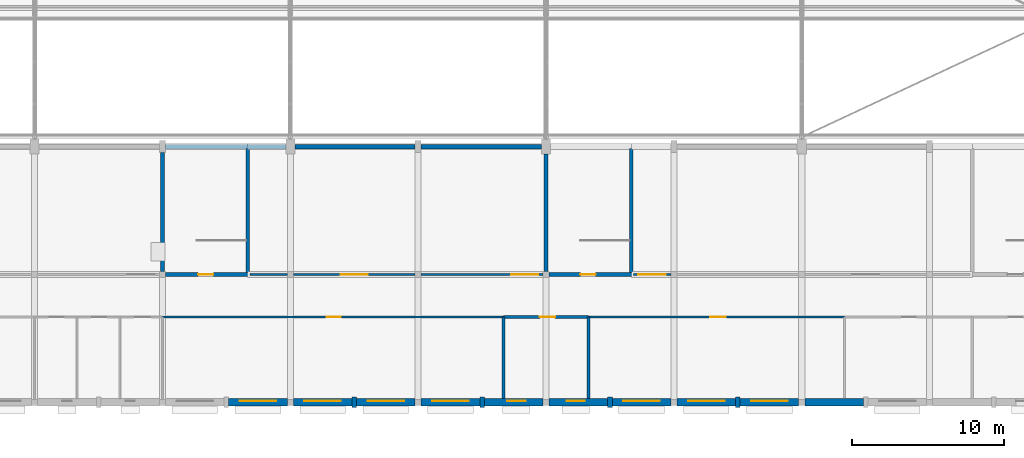
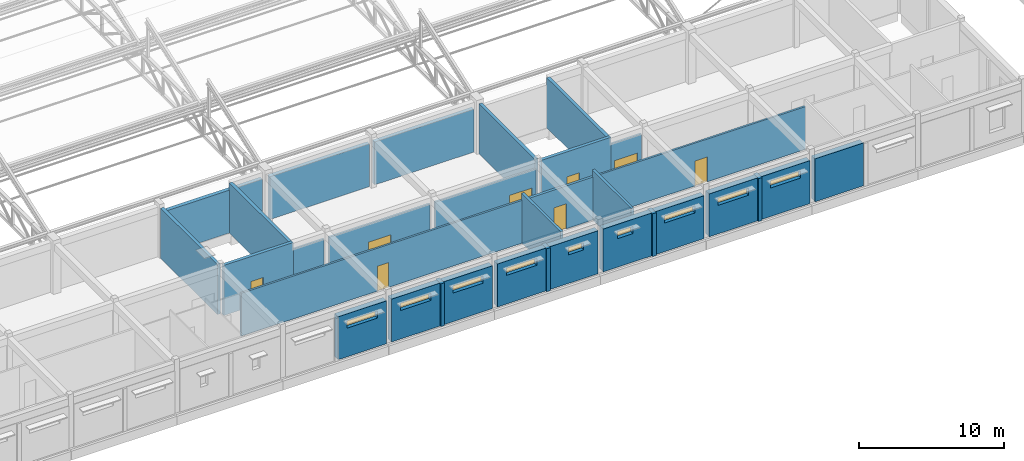
# One storey, part 74 of 101: 32 walls, 9 windows, 8 doors, 17 openings.
"""IFC4 building model written with IfcOpenShell, lengths in metres."""

import ifcopenshell
import ifcopenshell.guid

model = None  # the IFC model being written
_history = None  # IfcOwnerHistory: only IFC2X3 demands one
_inside = {}  # id of a spatial element -> (the spatial element, [elements in it])
_under = {}  # id of a project, library or spatial element -> (it, [spatial elements below it])
_declared = {}  # id of a project -> (the project, [libraries it declares])
_typed = {}  # id of a type object -> (the type object, [elements of that type])
_made_of = {}  # id of a material, layer set ... -> (it, [elements and type objects made of it])


def new_model(schema):
    """Start an empty IFC model of exactly this schema.

    Asked for "IFC4X3", IfcOpenShell would pick the latest addendum, in which some entities
    have other attributes; the version numbers below select the first issue.
    IFC2X3 requires an IfcOwnerHistory on every rooted entity: one is made here for all.
    """
    global model, _history
    if schema == "IFC4X3":
        model = ifcopenshell.file(schema_version=(4, 3, 0, 0))
    else:
        model = ifcopenshell.file(schema=schema)
    _inside.clear()
    _under.clear()
    _declared.clear()
    _typed.clear()
    _made_of.clear()
    _history = None
    if model.schema == "IFC2X3":
        org = make("IfcOrganization", Name="unknown")
        user = make(
            "IfcPersonAndOrganization",
            ThePerson=make("IfcPerson", FamilyName="unknown"),
            TheOrganization=org,
        )
        app = make(
            "IfcApplication",
            ApplicationDeveloper=org,
            Version="unknown",
            ApplicationFullName="unknown",
            ApplicationIdentifier="unknown",
        )
        _history = make(
            "IfcOwnerHistory",
            OwningUser=user,
            OwningApplication=app,
            ChangeAction="ADDED",
            CreationDate=0,
        )
    return model


def make(cls, **values):
    """One entity of the class cls with the attributes given. An attribute that is None is left unset."""
    return model.create_entity(
        cls, **{name: value for name, value in values.items() if value is not None}
    )


def rooted(cls, **values):
    """An entity with a GlobalId (a new one), such as an element, a storey or a relation."""
    return make(cls, GlobalId=ifcopenshell.guid.new(), OwnerHistory=_history, **values)


def si_unit(unit_type, name, prefix=None):
    """IfcSIUnit, for example si_unit("LENGTHUNIT", "METRE", prefix="MILLI")."""
    return make("IfcSIUnit", UnitType=unit_type, Prefix=prefix, Name=name)


def assignment(units):
    """IfcUnitAssignment: the units of a project."""
    return None if units is None else make("IfcUnitAssignment", Units=units)


def point(xyz):
    """IfcCartesianPoint."""
    return None if xyz is None else make("IfcCartesianPoint", Coordinates=xyz)


def direction(xyz):
    """IfcDirection."""
    return None if xyz is None else make("IfcDirection", DirectionRatios=xyz)


def frame(location, z_axis=None, x_axis=None):
    """IfcAxis2Placement3D, a coordinate frame: its origin and axes. An axis left out is left unset."""
    return make(
        "IfcAxis2Placement3D",
        Location=point(location),
        Axis=direction(z_axis),
        RefDirection=direction(x_axis),
    )


def frame_2d(location, x_axis=None):
    """IfcAxis2Placement2D, a coordinate frame in the plane: its origin and x axis."""
    return make(
        "IfcAxis2Placement2D", Location=point(location), RefDirection=direction(x_axis)
    )


def origin():
    """The frame at (0, 0, 0) with its axes left unset."""
    return frame((0.0, 0.0, 0.0))


def place(relative_to, where):
    """IfcLocalPlacement: puts the frame where relative to a parent placement (None: the world)."""
    return make(
        "IfcLocalPlacement", PlacementRelTo=relative_to, RelativePlacement=where
    )


def context(
    kind, dimensions, precision=None, world=None, true_north=None, identifier=None
):
    """IfcGeometricRepresentationContext, for example the 3D "Model" context."""
    return make(
        "IfcGeometricRepresentationContext",
        ContextIdentifier=identifier,
        ContextType=kind,
        CoordinateSpaceDimension=dimensions,
        Precision=precision,
        WorldCoordinateSystem=world,
        TrueNorth=true_north,
    )


def subcontext(parent, identifier, kind, view, scale=None):
    """IfcGeometricRepresentationSubContext, for example "Body" below "Model"."""
    return make(
        "IfcGeometricRepresentationSubContext",
        ContextIdentifier=identifier,
        ContextType=kind,
        ParentContext=parent,
        TargetScale=scale,
        TargetView=view,
    )


def project(units=None, contexts=None):
    """IfcProject with its units and contexts."""
    return rooted(
        "IfcProject",
        Name="project",
        RepresentationContexts=contexts,
        UnitsInContext=assignment(units),
    )


def spatial(cls, under=None, at=None, **own):
    """A site, building, storey or space (cls), placed at a placement, below another one or the project."""
    s = rooted(cls, ObjectPlacement=at, **own)
    if under is not None:
        _under.setdefault(under.id(), (under, []))[1].append(s)
    return s


def profile(cls, at=None, kind="AREA", **sizes):
    """A parametric profile (cls). Its sizes go by their IFC names, for example OverallWidth=200.0."""
    return make(cls, ProfileType=kind, Position=at, **sizes)


def rectangle(**sizes):
    """IfcRectangleProfileDef."""
    return profile("IfcRectangleProfileDef", **sizes)


def extrude(swept, where, along, depth):
    """IfcExtrudedAreaSolid: the profile swept, set in the frame where, extruded along a direction by depth."""
    return make(
        "IfcExtrudedAreaSolid",
        SweptArea=swept,
        Position=where,
        ExtrudedDirection=direction(along),
        Depth=depth,
    )


def shape(context_of_items, identifier, shape_type, items):
    """IfcShapeRepresentation: the items that make up one representation, for example the "Body"."""
    return make(
        "IfcShapeRepresentation",
        ContextOfItems=context_of_items,
        RepresentationIdentifier=identifier,
        RepresentationType=shape_type,
        Items=items,
    )


def material(Name=None, Category=None):
    """IfcMaterial."""
    return make("IfcMaterial", Name=Name, Category=Category)


def layer(
    of_material, thickness, ventilated=None, Name=None, Category=None, Priority=None
):
    """IfcMaterialLayer: one layer of a wall or slab, of a material (None: an air gap)."""
    return make(
        "IfcMaterialLayer",
        Material=of_material,
        LayerThickness=thickness,
        IsVentilated=ventilated,
        Name=Name,
        Category=Category,
        Priority=Priority,
    )


def layer_set(layers, Name=None):
    """IfcMaterialLayerSet."""
    return make("IfcMaterialLayerSet", MaterialLayers=layers, LayerSetName=Name)


def made_of(thing, what):
    """Note that an element or type object is made of a material, layer set ...; save() writes the relation."""
    if what is not None:
        _made_of.setdefault(what.id(), (what, []))[1].append(thing)
    return thing


def type_object(cls, material=None, **own):
    """A type object (cls), such as IfcWallType, which elements share."""
    return made_of(rooted(cls, **own), material)


def element(
    cls,
    number,
    at=None,
    inside=None,
    cuts=None,
    type_object=None,
    material=None,
    context=None,
    identifier="Body",
    shape_type=None,
    held_by="IfcProductDefinitionShape",
    body=None,
    shapes=None,
    **own,
):
    """One element of the class cls, such as IfcWall. Its Tag is "e" and its number.

    at: its placement. inside: the storey or other place that contains it. cuts: it is an
    opening in that element (IfcRelVoidsElement). A single representation is given by context,
    identifier, shape_type and body (its items); several are given by shapes. held_by: the class
    of the entity that holds the representations. save() writes the other relations.
    """
    e = rooted(cls, Tag="e%d" % number, ObjectPlacement=at, **own)
    if body is not None:
        shapes = [shape(context, identifier, shape_type, body)]
    if shapes is not None:
        e.Representation = make(held_by, Representations=shapes)
    if inside is not None:
        _inside.setdefault(inside.id(), (inside, []))[1].append(e)
    if cuts is not None:
        rooted(
            "IfcRelVoidsElement", RelatingBuildingElement=cuts, RelatedOpeningElement=e
        )
    if type_object is not None:
        _typed.setdefault(type_object.id(), (type_object, []))[1].append(e)
    return made_of(e, material)


def fill(opening, filler):
    """IfcRelFillsElement: the door or window that sits in an opening."""
    return rooted(
        "IfcRelFillsElement",
        RelatingOpeningElement=opening,
        RelatedBuildingElement=filler,
    )


def aggregate(whole, parts):
    """IfcRelAggregates: a whole, such as a stair, and the parts it consists of."""
    return rooted("IfcRelAggregates", RelatingObject=whole, RelatedObjects=parts)


def save(model, path):
    """Write the relations noted so far, then the file.

    IfcRelAggregates (storeys below a building ...), IfcRelContainedInSpatialStructure (elements
    in a storey), IfcRelDefinesByType, IfcRelAssociatesMaterial and IfcRelDeclares: one each for
    every whole, place, type object, material and project.
    """
    for whole, parts in _under.values():
        aggregate(whole, parts)
    for where, things in _inside.values():
        rooted(
            "IfcRelContainedInSpatialStructure",
            RelatedElements=things,
            RelatingStructure=where,
        )
    for kind, things in _typed.values():
        rooted("IfcRelDefinesByType", RelatedObjects=things, RelatingType=kind)
    for what, things in _made_of.values():
        rooted("IfcRelAssociatesMaterial", RelatedObjects=things, RelatingMaterial=what)
    for by, libraries in _declared.values():
        rooted("IfcRelDeclares", RelatingContext=by, RelatedDefinitions=libraries)
    model.write(path)


model = new_model("IFC4")

# Units and contexts
model_context = context("Model", 3, precision=1e-05, world=origin(), true_north=direction((0.0, 1.0)))
body_context = subcontext(model_context, "Body", "Model", "MODEL_VIEW")
ifc_project = project(units=[si_unit("LENGTHUNIT", "METRE"), si_unit("AREAUNIT", "SQUARE_METRE"), si_unit("VOLUMEUNIT", "CUBIC_METRE"), si_unit("PLANEANGLEUNIT", "RADIAN"), si_unit("MASSUNIT", "GRAM", prefix="KILO")], contexts=[model_context])

# Site, building, storey
site_placement = place(None, origin())
site = spatial("IfcSite", under=ifc_project, at=site_placement, CompositionType="ELEMENT")
building_placement = place(site_placement, origin())
building = spatial("IfcBuilding", under=site, at=building_placement, Name="Fescue Hill Polytechnic", CompositionType="ELEMENT")
storey_placement = place(building_placement, frame((0.0, 0.0, 9.0)))
storey = spatial("IfcBuildingStorey", under=building, at=storey_placement, Name="L02", CompositionType="ELEMENT", Elevation=9.0)

# Wall, opening, door
ifc_material_1 = material(Name="Concrete 40 MPa", Category="concrete")
ifc_layer_1 = layer(ifc_material_1, 0.25)
ifc_layer_set_1 = layer_set([ifc_layer_1], Name="Concrete 40 MPa")
wall_type_1 = type_object("IfcWallType", Name="Core wall 250", PredefinedType="SHEAR", material=ifc_layer_set_1)
wall_1_placement = place(storey_placement, frame((59.0, 8.39990234375, 0.0), z_axis=(0.0, 0.0, 1.0), x_axis=(1.0, 0.0, 0.0)))
wall_1 = element("IfcWall", 1, at=wall_1_placement, inside=storey, type_object=wall_type_1, Name="CW-L02-ST-V1-3-11", PredefinedType="SHEAR", context=body_context, shape_type="SweptSolid", body=[
    extrude(rectangle(XDim=5.52490234375, YDim=0.25, at=frame_2d((2.762451171875, 0.0))), origin(), (0.0, 0.0, 1.0), 4.199951171875),
])
opening_1_placement = place(wall_1_placement, frame((2.14990234375, 0.0, 0.0)))
opening_1 = element("IfcOpeningElement", 2, at=opening_1_placement, cuts=wall_1, Name="Opening D2078", PredefinedType="OPENING", context=body_context, shape_type="SweptSolid", body=[
    extrude(rectangle(XDim=1.0, YDim=2.10009765625, at=frame_2d((0.5, 1.050048828125))), frame((0.0, 0.135009765625, 0.0), z_axis=(0.0, -1.0, 0.0), x_axis=(1.0, 0.0, 0.0)), (0.0, 0.0, 1.0), 0.27001953125),
])
ifc_material_2 = material(Name="Steel fire door", Category="steel")
door_type_1 = type_object("IfcDoorType", Name="Door single swing 1000x2100 stair fire rated", OperationType="NOTDEFINED", PredefinedType="DOOR", material=ifc_material_2)
door_1_placement = place(opening_1_placement, origin())
door_1 = element("IfcDoor", 3, at=door_1_placement, inside=storey, type_object=door_type_1, Name="L02 ST-V1-3 stair door", OperationType="SINGLE_SWING_RIGHT", OverallHeight=2.10009765625, OverallWidth=1.0, PredefinedType="DOOR", context=body_context, shape_type="SweptSolid", body=[
    extrude(rectangle(XDim=1.0, YDim=2.10009765625, at=frame_2d((0.5, 1.050048828125))), frame((0.0, 0.02490234375, 0.0), z_axis=(0.0, -1.0, 0.0), x_axis=(1.0, 0.0, 0.0)), (0.0, 0.0, 1.0), 0.050048828125),
])
fill(opening_1, door_1)

# Walls
wall_2_placement = place(storey_placement, frame((58.800048828125, 8.60009765625, 0.0), z_axis=(0.0, 0.0, 1.0), x_axis=(0.0, 1.0, 0.0)))
element("IfcWall", 4, at=wall_2_placement, inside=storey, type_object=wall_type_1, Name="CW-L02-ST-V1-3-31", PredefinedType="SHEAR", context=body_context, shape_type="SweptSolid", body=[
    extrude(rectangle(XDim=7.7998046875, YDim=0.25, at=frame_2d((3.89990234375, 0.0))), origin(), (0.0, 0.0, 1.0), 4.199951171875),
])
wall_3_placement = place(storey_placement, frame((64.39990234375, 8.52490234375, 0.0), z_axis=(0.0, 0.0, 1.0), x_axis=(0.0, 1.0, 0.0)))
element("IfcWall", 5, at=wall_3_placement, inside=storey, type_object=wall_type_1, Name="CW-L02-ST-V1-3-41", PredefinedType="SHEAR", context=body_context, shape_type="SweptSolid", body=[
    extrude(rectangle(XDim=8.150146484375, YDim=0.25, at=frame_2d((4.0751953125, 0.0))), origin(), (0.0, 0.0, 1.0), 4.199951171875),
])

# Wall, opening, door
wall_4_placement = place(storey_placement, frame((84.199951171875, 8.39990234375, 0.0), z_axis=(0.0, 0.0, 1.0), x_axis=(1.0, 0.0, 0.0)))
wall_4 = element("IfcWall", 6, at=wall_4_placement, inside=storey, type_object=wall_type_1, Name="CW-L02-ST-V1-4-11", PredefinedType="SHEAR", context=body_context, shape_type="SweptSolid", body=[
    extrude(rectangle(XDim=5.525146484375, YDim=0.25, at=frame_2d((2.7626953125, 0.0))), origin(), (0.0, 0.0, 1.0), 4.199951171875),
])
opening_2_placement = place(wall_4_placement, frame((2.050048828125, 0.0, 0.0)))
opening_2 = element("IfcOpeningElement", 7, at=opening_2_placement, cuts=wall_4, Name="Opening D2079", PredefinedType="OPENING", context=body_context, shape_type="SweptSolid", body=[
    extrude(rectangle(XDim=1.0, YDim=2.10009765625, at=frame_2d((0.5, 1.050048828125))), frame((0.0, 0.135009765625, 0.0), z_axis=(0.0, -1.0, 0.0), x_axis=(1.0, 0.0, 0.0)), (0.0, 0.0, 1.0), 0.27001953125),
])
door_2_placement = place(opening_2_placement, origin())
door_2 = element("IfcDoor", 8, at=door_2_placement, inside=storey, type_object=door_type_1, Name="L02 ST-V1-4 stair door", OperationType="SINGLE_SWING_LEFT", OverallHeight=2.10009765625, OverallWidth=1.0, PredefinedType="DOOR", context=body_context, shape_type="SweptSolid", body=[
    extrude(rectangle(XDim=1.0, YDim=2.10009765625, at=frame_2d((0.5, 1.050048828125))), frame((0.0, 0.02490234375, 0.0), z_axis=(0.0, -1.0, 0.0), x_axis=(1.0, 0.0, 0.0)), (0.0, 0.0, 1.0), 0.050048828125),
])
fill(opening_2, door_2)

# Walls
wall_5_placement = place(storey_placement, frame((84.0, 8.60009765625, 0.0), z_axis=(0.0, 0.0, 1.0), x_axis=(0.0, 1.0, 0.0)))
element("IfcWall", 9, at=wall_5_placement, inside=storey, type_object=wall_type_1, Name="CW-L02-ST-V1-4-31", PredefinedType="SHEAR", context=body_context, shape_type="SweptSolid", body=[
    extrude(rectangle(XDim=7.699951171875, YDim=0.25, at=frame_2d((3.85009765625, 0.0))), origin(), (0.0, 0.0, 1.0), 4.199951171875),
])
wall_6_placement = place(storey_placement, frame((89.60009765625, 8.52490234375, 0.0), z_axis=(0.0, 0.0, 1.0), x_axis=(0.0, 1.0, 0.0)))
element("IfcWall", 10, at=wall_6_placement, inside=storey, type_object=wall_type_1, Name="CW-L02-ST-V1-4-41", PredefinedType="SHEAR", context=body_context, shape_type="SweptSolid", body=[
    extrude(rectangle(XDim=8.150146484375, YDim=0.25, at=frame_2d((4.0751953125, 0.0))), origin(), (0.0, 0.0, 1.0), 4.199951171875),
])

# Wall, opening, door
ifc_material_3 = material(Name="Gypsum board partition")
ifc_layer_2 = layer(ifc_material_3, 0.14990234375)
ifc_layer_set_2 = layer_set([ifc_layer_2], Name="Gypsum board partition")
wall_type_2 = type_object("IfcWallType", Name="Corridor wall 150 EI 45", PredefinedType="PARTITIONING", material=ifc_layer_set_2)
wall_7_placement = place(storey_placement, frame((58.800048828125, 5.60009765625, 0.0), z_axis=(0.0, 0.0, 1.0), x_axis=(1.0, 0.0, 0.0)))
wall_7 = element("IfcWall", 11, at=wall_7_placement, inside=storey, type_object=wall_type_2, Name="IW-L02-003", PredefinedType="PARTITIONING", context=body_context, shape_type="SweptSolid", body=[
    extrude(rectangle(XDim=22.39990234375, YDim=0.14990234375, at=frame_2d((11.199951171875, 0.0))), origin(), (0.0, 0.0, 1.0), 3.60009765625),
])
opening_3_placement = place(wall_7_placement, frame((10.800048828125, 0.0, 0.0)))
opening_3 = element("IfcOpeningElement", 12, at=opening_3_placement, cuts=wall_7, Name="Opening D2016", PredefinedType="OPENING", context=body_context, shape_type="SweptSolid", body=[
    extrude(rectangle(XDim=0.89990234375, YDim=2.10009765625, at=frame_2d((0.449951171875, 1.050048828125))), frame((0.0, 0.0849609375, 0.0), z_axis=(0.0, -1.0, 0.0), x_axis=(1.0, 0.0, 0.0)), (0.0, 0.0, 1.0), 0.169921875),
])
ifc_material_4 = material(Name="Timber", Category="wood")
door_type_2 = type_object("IfcDoorType", Name="Door single swing 900x2100 FD30S", OperationType="SINGLE_SWING_LEFT", PredefinedType="DOOR", material=ifc_material_4)
door_3_placement = place(opening_3_placement, origin())
door_3 = element("IfcDoor", 13, at=door_3_placement, inside=storey, type_object=door_type_2, Name="Door D2016", OperationType="SINGLE_SWING_RIGHT", OverallHeight=2.10009765625, OverallWidth=0.89990234375, PredefinedType="DOOR", context=body_context, shape_type="SweptSolid", body=[
    extrude(rectangle(XDim=0.89990234375, YDim=2.10009765625, at=frame_2d((0.449951171875, 1.050048828125))), frame((0.0, 0.02490234375, 0.0), z_axis=(0.0, -1.0, 0.0), x_axis=(1.0, 0.0, 0.0)), (0.0, 0.0, 1.0), 0.050048828125),
])
fill(opening_3, door_3)

# Wall
wall_8_placement = place(storey_placement, frame((64.550048828125, 8.39990234375, 0.0), z_axis=(0.0, 0.0, 1.0), x_axis=(1.0, 0.0, 0.0)))
element("IfcWall", 14, at=wall_8_placement, inside=storey, type_object=wall_type_2, Name="IW-L02-014", PredefinedType="PARTITIONING", context=body_context, shape_type="SweptSolid", body=[
    extrude(rectangle(XDim=2.449951171875, YDim=0.14990234375, at=frame_2d((1.22509765625, 0.0))), origin(), (0.0, 0.0, 1.0), 3.60009765625),
])

# Wall, opening, door
wall_9_placement = place(storey_placement, frame((67.39990234375, 8.39990234375, 0.0), z_axis=(0.0, 0.0, 1.0), x_axis=(1.0, 0.0, 0.0)))
wall_9 = element("IfcWall", 15, at=wall_9_placement, inside=storey, type_object=wall_type_2, Name="IW-L02-015", PredefinedType="PARTITIONING", context=body_context, shape_type="SweptSolid", body=[
    extrude(rectangle(XDim=8.0, YDim=0.14990234375, at=frame_2d((4.0, 0.0))), origin(), (0.0, 0.0, 1.0), 3.60009765625),
])
opening_4_placement = place(wall_9_placement, frame((3.10009765625, 0.0, 0.0)))
opening_4 = element("IfcOpeningElement", 16, at=opening_4_placement, cuts=wall_9, Name="Opening D2025", PredefinedType="OPENING", context=body_context, shape_type="SweptSolid", body=[
    extrude(rectangle(XDim=1.800048828125, YDim=2.10009765625, at=frame_2d((0.89990234375, 1.050048828125))), frame((0.0, 0.0849609375, 0.0), z_axis=(0.0, -1.0, 0.0), x_axis=(1.0, 0.0, 0.0)), (0.0, 0.0, 1.0), 0.169921875),
])
door_type_3 = type_object("IfcDoorType", Name="Door double swing 1800x2100 FD30S", OperationType="DOUBLE_DOOR_SINGLE_SWING", PredefinedType="DOOR", material=ifc_material_4)
door_4_placement = place(opening_4_placement, origin())
door_4 = element("IfcDoor", 17, at=door_4_placement, inside=storey, type_object=door_type_3, Name="Door D2025", OperationType="DOUBLE_DOOR_SINGLE_SWING", OverallHeight=2.10009765625, OverallWidth=1.800048828125, PredefinedType="DOOR", context=body_context, shape_type="SweptSolid", body=[
    extrude(rectangle(XDim=1.800048828125, YDim=2.10009765625, at=frame_2d((0.89990234375, 1.050048828125))), frame((0.0, 0.02490234375, 0.0), z_axis=(0.0, -1.0, 0.0), x_axis=(1.0, 0.0, 0.0)), (0.0, 0.0, 1.0), 0.050048828125),
])
fill(opening_4, door_4)

wall_10_placement = place(storey_placement, frame((75.800048828125, 8.39990234375, 0.0), z_axis=(0.0, 0.0, 1.0), x_axis=(1.0, 0.0, 0.0)))
wall_10 = element("IfcWall", 18, at=wall_10_placement, inside=storey, type_object=wall_type_2, Name="IW-L02-016", PredefinedType="PARTITIONING", context=body_context, shape_type="SweptSolid", body=[
    extrude(rectangle(XDim=8.0, YDim=0.14990234375, at=frame_2d((4.0, 0.0))), origin(), (0.0, 0.0, 1.0), 3.60009765625),
])
opening_5_placement = place(wall_10_placement, frame((5.89990234375, 0.0, 0.0)))
opening_5 = element("IfcOpeningElement", 19, at=opening_5_placement, cuts=wall_10, Name="Opening D2026", PredefinedType="OPENING", context=body_context, shape_type="SweptSolid", body=[
    extrude(rectangle(XDim=1.800048828125, YDim=2.10009765625, at=frame_2d((0.89990234375, 1.050048828125))), frame((0.0, 0.0849609375, 0.0), z_axis=(0.0, -1.0, 0.0), x_axis=(1.0, 0.0, 0.0)), (0.0, 0.0, 1.0), 0.169921875),
])
door_5_placement = place(opening_5_placement, origin())
door_5 = element("IfcDoor", 20, at=door_5_placement, inside=storey, type_object=door_type_3, Name="Door D2026", OperationType="DOUBLE_DOOR_SINGLE_SWING", OverallHeight=2.10009765625, OverallWidth=1.800048828125, PredefinedType="DOOR", context=body_context, shape_type="SweptSolid", body=[
    extrude(rectangle(XDim=1.800048828125, YDim=2.10009765625, at=frame_2d((0.89990234375, 1.050048828125))), frame((0.0, 0.02490234375, 0.0), z_axis=(0.0, -1.0, 0.0), x_axis=(1.0, 0.0, 0.0)), (0.0, 0.0, 1.0), 0.050048828125),
])
fill(opening_5, door_5)

# Wall, opening, window
ifc_material_5 = material(Name="Clay brick masonry", Category="masonry")
ifc_layer_3 = layer(ifc_material_5, 0.47998046875)
ifc_layer_set_3 = layer_set([ifc_layer_3], Name="Clay brick masonry")
wall_type_3 = type_object("IfcWallType", Name="Exterior wall engineering brick cavity 480", PredefinedType="SOLIDWALL", material=ifc_layer_set_3)
wall_11_placement = place(storey_placement, frame((63.14990234375, 0.0, 0.0), z_axis=(0.0, 0.0, 1.0), x_axis=(1.0, 0.0, 0.0)))
wall_11 = element("IfcWall", 21, at=wall_11_placement, inside=storey, type_object=wall_type_3, Name="EW-L02-V1-38", PredefinedType="SOLIDWALL", context=body_context, shape_type="SweptSolid", body=[
    extrude(rectangle(XDim=3.85009765625, YDim=0.47998046875, at=frame_2d((1.925048828125, 0.0))), origin(), (0.0, 0.0, 1.0), 3.60009765625),
])
opening_6_placement = place(wall_11_placement, frame((0.72509765625, 0.0, 2.39990234375)))
opening_6 = element("IfcOpeningElement", 22, at=opening_6_placement, cuts=wall_11, Name="Opening W2R", PredefinedType="OPENING", context=body_context, shape_type="SweptSolid", body=[
    extrude(rectangle(XDim=2.39990234375, YDim=0.60009765625, at=frame_2d((1.199951171875, 0.300048828125))), frame((0.0, 0.25, 0.0), z_axis=(0.0, -1.0, 0.0), x_axis=(1.0, 0.0, 0.0)), (0.0, 0.0, 1.0), 0.5),
])
ifc_material_6 = material(Name="Powder-coated aluminium and glass", Category="aluminium")
window_type_1 = type_object("IfcWindowType", Name="Window workshop high 2400x600", PartitioningType="TRIPLE_PANEL_VERTICAL", PredefinedType="WINDOW", material=ifc_material_6)
window_1_placement = place(opening_6_placement, origin())
window_1 = element("IfcWindow", 23, at=window_1_placement, inside=storey, type_object=window_type_1, Name="WN-L02-V1-16", OverallHeight=0.60009765625, OverallWidth=2.39990234375, PartitioningType="SINGLE_PANEL", PredefinedType="WINDOW", context=body_context, shape_type="SweptSolid", body=[
    extrude(rectangle(XDim=2.39990234375, YDim=0.60009765625, at=frame_2d((1.199951171875, 0.300048828125))), frame((0.0, 0.1201171875, 0.0), z_axis=(0.0, -1.0, 0.0), x_axis=(1.0, 0.0, 0.0)), (0.0, 0.0, 1.0), 0.06005859375),
])
fill(opening_6, window_1)

wall_12_placement = place(storey_placement, frame((67.39990234375, 0.0, 0.0), z_axis=(0.0, 0.0, 1.0), x_axis=(1.0, 0.0, 0.0)))
wall_12 = element("IfcWall", 24, at=wall_12_placement, inside=storey, type_object=wall_type_3, Name="EW-L02-V1-39", PredefinedType="SOLIDWALL", context=body_context, shape_type="SweptSolid", body=[
    extrude(rectangle(XDim=3.85009765625, YDim=0.47998046875, at=frame_2d((1.925048828125, 0.0))), origin(), (0.0, 0.0, 1.0), 3.60009765625),
])
opening_7_placement = place(wall_12_placement, frame((0.72509765625, 0.0, 2.39990234375)))
opening_7 = element("IfcOpeningElement", 25, at=opening_7_placement, cuts=wall_12, Name="Opening W2R", PredefinedType="OPENING", context=body_context, shape_type="SweptSolid", body=[
    extrude(rectangle(XDim=2.39990234375, YDim=0.60009765625, at=frame_2d((1.199951171875, 0.300048828125))), frame((0.0, 0.25, 0.0), z_axis=(0.0, -1.0, 0.0), x_axis=(1.0, 0.0, 0.0)), (0.0, 0.0, 1.0), 0.5),
])
window_2_placement = place(opening_7_placement, origin())
window_2 = element("IfcWindow", 26, at=window_2_placement, inside=storey, type_object=window_type_1, Name="WN-L02-V1-17", OverallHeight=0.60009765625, OverallWidth=2.39990234375, PartitioningType="SINGLE_PANEL", PredefinedType="WINDOW", context=body_context, shape_type="SweptSolid", body=[
    extrude(rectangle(XDim=2.39990234375, YDim=0.60009765625, at=frame_2d((1.199951171875, 0.300048828125))), frame((0.0, 0.1201171875, 0.0), z_axis=(0.0, -1.0, 0.0), x_axis=(1.0, 0.0, 0.0)), (0.0, 0.0, 1.0), 0.06005859375),
])
fill(opening_7, window_2)

wall_13_placement = place(storey_placement, frame((71.550048828125, 0.0, 0.0), z_axis=(0.0, 0.0, 1.0), x_axis=(1.0, 0.0, 0.0)))
wall_13 = element("IfcWall", 27, at=wall_13_placement, inside=storey, type_object=wall_type_3, Name="EW-L02-V1-40", PredefinedType="SOLIDWALL", context=body_context, shape_type="SweptSolid", body=[
    extrude(rectangle(XDim=3.849853515625, YDim=0.47998046875, at=frame_2d((1.9248046875, 0.0))), origin(), (0.0, 0.0, 1.0), 3.60009765625),
])
opening_8_placement = place(wall_13_placement, frame((0.72509765625, 0.0, 2.39990234375)))
opening_8 = element("IfcOpeningElement", 28, at=opening_8_placement, cuts=wall_13, Name="Opening W2R", PredefinedType="OPENING", context=body_context, shape_type="SweptSolid", body=[
    extrude(rectangle(XDim=2.39990234375, YDim=0.60009765625, at=frame_2d((1.199951171875, 0.300048828125))), frame((0.0, 0.25, 0.0), z_axis=(0.0, -1.0, 0.0), x_axis=(1.0, 0.0, 0.0)), (0.0, 0.0, 1.0), 0.5),
])
window_3_placement = place(opening_8_placement, origin())
window_3 = element("IfcWindow", 29, at=window_3_placement, inside=storey, type_object=window_type_1, Name="WN-L02-V1-18", OverallHeight=0.60009765625, OverallWidth=2.39990234375, PartitioningType="SINGLE_PANEL", PredefinedType="WINDOW", context=body_context, shape_type="SweptSolid", body=[
    extrude(rectangle(XDim=2.39990234375, YDim=0.60009765625, at=frame_2d((1.199951171875, 0.300048828125))), frame((0.0, 0.1201171875, 0.0), z_axis=(0.0, -1.0, 0.0), x_axis=(1.0, 0.0, 0.0)), (0.0, 0.0, 1.0), 0.06005859375),
])
fill(opening_8, window_3)

wall_14_placement = place(storey_placement, frame((75.800048828125, 0.0, 0.0), z_axis=(0.0, 0.0, 1.0), x_axis=(1.0, 0.0, 0.0)))
wall_14 = element("IfcWall", 30, at=wall_14_placement, inside=storey, type_object=wall_type_3, Name="EW-L02-V1-41", PredefinedType="SOLIDWALL", context=body_context, shape_type="SweptSolid", body=[
    extrude(rectangle(XDim=3.849853515625, YDim=0.47998046875, at=frame_2d((1.9248046875, 0.0))), origin(), (0.0, 0.0, 1.0), 3.60009765625),
])
opening_9_placement = place(wall_14_placement, frame((0.72509765625, 0.0, 2.39990234375)))
opening_9 = element("IfcOpeningElement", 31, at=opening_9_placement, cuts=wall_14, Name="Opening W2R", PredefinedType="OPENING", context=body_context, shape_type="SweptSolid", body=[
    extrude(rectangle(XDim=2.39990234375, YDim=0.60009765625, at=frame_2d((1.199951171875, 0.300048828125))), frame((0.0, 0.25, 0.0), z_axis=(0.0, -1.0, 0.0), x_axis=(1.0, 0.0, 0.0)), (0.0, 0.0, 1.0), 0.5),
])
window_4_placement = place(opening_9_placement, origin())
window_4 = element("IfcWindow", 32, at=window_4_placement, inside=storey, type_object=window_type_1, Name="WN-L02-V1-19", OverallHeight=0.60009765625, OverallWidth=2.39990234375, PartitioningType="SINGLE_PANEL", PredefinedType="WINDOW", context=body_context, shape_type="SweptSolid", body=[
    extrude(rectangle(XDim=2.39990234375, YDim=0.60009765625, at=frame_2d((1.199951171875, 0.300048828125))), frame((0.0, 0.1201171875, 0.0), z_axis=(0.0, -1.0, 0.0), x_axis=(1.0, 0.0, 0.0)), (0.0, 0.0, 1.0), 0.06005859375),
])
fill(opening_9, window_4)

wall_15_placement = place(storey_placement, frame((79.949951171875, 0.0, 0.0), z_axis=(0.0, 0.0, 1.0), x_axis=(1.0, 0.0, 0.0)))
wall_15 = element("IfcWall", 33, at=wall_15_placement, inside=storey, type_object=wall_type_3, Name="EW-L02-V1-42", PredefinedType="SOLIDWALL", context=body_context, shape_type="SweptSolid", body=[
    extrude(rectangle(XDim=3.85009765625, YDim=0.47998046875, at=frame_2d((1.925048828125, 0.0))), origin(), (0.0, 0.0, 1.0), 3.60009765625),
])
opening_10_placement = place(wall_15_placement, frame((1.5, 0.0, 2.39990234375)))
opening_10 = element("IfcOpeningElement", 34, at=opening_10_placement, cuts=wall_15, Name="Opening W12", PredefinedType="OPENING", context=body_context, shape_type="SweptSolid", body=[
    extrude(rectangle(XDim=1.199951171875, YDim=0.60009765625, at=frame_2d((0.60009765625, 0.300048828125))), frame((0.0, 0.25, 0.0), z_axis=(0.0, -1.0, 0.0), x_axis=(1.0, 0.0, 0.0)), (0.0, 0.0, 1.0), 0.5),
])
window_type_2 = type_object("IfcWindowType", Name="Window plant and store high-level 1200x600", PartitioningType="SINGLE_PANEL", PredefinedType="WINDOW", material=ifc_material_6)
window_5_placement = place(opening_10_placement, origin())
window_5 = element("IfcWindow", 35, at=window_5_placement, inside=storey, type_object=window_type_2, Name="WN-L02-V1-20", OverallHeight=0.60009765625, OverallWidth=1.199951171875, PartitioningType="SINGLE_PANEL", PredefinedType="WINDOW", context=body_context, shape_type="SweptSolid", body=[
    extrude(rectangle(XDim=1.199951171875, YDim=0.60009765625, at=frame_2d((0.60009765625, 0.300048828125))), frame((0.0, 0.1201171875, 0.0), z_axis=(0.0, -1.0, 0.0), x_axis=(1.0, 0.0, 0.0)), (0.0, 0.0, 1.0), 0.06005859375),
])
fill(opening_10, window_5)

wall_16_placement = place(storey_placement, frame((84.199951171875, 0.0, 0.0), z_axis=(0.0, 0.0, 1.0), x_axis=(1.0, 0.0, 0.0)))
wall_16 = element("IfcWall", 36, at=wall_16_placement, inside=storey, type_object=wall_type_3, Name="EW-L02-V1-43", PredefinedType="SOLIDWALL", context=body_context, shape_type="SweptSolid", body=[
    extrude(rectangle(XDim=3.85009765625, YDim=0.47998046875, at=frame_2d((1.925048828125, 0.0))), origin(), (0.0, 0.0, 1.0), 3.60009765625),
])
opening_11_placement = place(wall_16_placement, frame((1.14990234375, 0.0, 2.39990234375)))
opening_11 = element("IfcOpeningElement", 37, at=opening_11_placement, cuts=wall_16, Name="Opening W12", PredefinedType="OPENING", context=body_context, shape_type="SweptSolid", body=[
    extrude(rectangle(XDim=1.199951171875, YDim=0.60009765625, at=frame_2d((0.60009765625, 0.300048828125))), frame((0.0, 0.25, 0.0), z_axis=(0.0, -1.0, 0.0), x_axis=(1.0, 0.0, 0.0)), (0.0, 0.0, 1.0), 0.5),
])
window_6_placement = place(opening_11_placement, origin())
window_6 = element("IfcWindow", 38, at=window_6_placement, inside=storey, type_object=window_type_2, Name="WN-L02-V1-21", OverallHeight=0.60009765625, OverallWidth=1.199951171875, PartitioningType="SINGLE_PANEL", PredefinedType="WINDOW", context=body_context, shape_type="SweptSolid", body=[
    extrude(rectangle(XDim=1.199951171875, YDim=0.60009765625, at=frame_2d((0.60009765625, 0.300048828125))), frame((0.0, 0.1201171875, 0.0), z_axis=(0.0, -1.0, 0.0), x_axis=(1.0, 0.0, 0.0)), (0.0, 0.0, 1.0), 0.06005859375),
])
fill(opening_11, window_6)

wall_17_placement = place(storey_placement, frame((88.35009765625, 0.0, 0.0), z_axis=(0.0, 0.0, 1.0), x_axis=(1.0, 0.0, 0.0)))
wall_17 = element("IfcWall", 39, at=wall_17_placement, inside=storey, type_object=wall_type_3, Name="EW-L02-V1-44", PredefinedType="SOLIDWALL", context=body_context, shape_type="SweptSolid", body=[
    extrude(rectangle(XDim=3.849853515625, YDim=0.47998046875, at=frame_2d((1.9248046875, 0.0))), origin(), (0.0, 0.0, 1.0), 3.60009765625),
])
opening_12_placement = place(wall_17_placement, frame((0.72509765625, 0.0, 2.39990234375)))
opening_12 = element("IfcOpeningElement", 40, at=opening_12_placement, cuts=wall_17, Name="Opening W2R", PredefinedType="OPENING", context=body_context, shape_type="SweptSolid", body=[
    extrude(rectangle(XDim=2.39990234375, YDim=0.60009765625, at=frame_2d((1.199951171875, 0.300048828125))), frame((0.0, 0.25, 0.0), z_axis=(0.0, -1.0, 0.0), x_axis=(1.0, 0.0, 0.0)), (0.0, 0.0, 1.0), 0.5),
])
window_7_placement = place(opening_12_placement, origin())
window_7 = element("IfcWindow", 41, at=window_7_placement, inside=storey, type_object=window_type_1, Name="WN-L02-V1-22", OverallHeight=0.60009765625, OverallWidth=2.39990234375, PartitioningType="SINGLE_PANEL", PredefinedType="WINDOW", context=body_context, shape_type="SweptSolid", body=[
    extrude(rectangle(XDim=2.39990234375, YDim=0.60009765625, at=frame_2d((1.199951171875, 0.300048828125))), frame((0.0, 0.1201171875, 0.0), z_axis=(0.0, -1.0, 0.0), x_axis=(1.0, 0.0, 0.0)), (0.0, 0.0, 1.0), 0.06005859375),
])
fill(opening_12, window_7)

wall_18_placement = place(storey_placement, frame((92.60009765625, 0.0, 0.0), z_axis=(0.0, 0.0, 1.0), x_axis=(1.0, 0.0, 0.0)))
wall_18 = element("IfcWall", 42, at=wall_18_placement, inside=storey, type_object=wall_type_3, Name="EW-L02-V1-45", PredefinedType="SOLIDWALL", context=body_context, shape_type="SweptSolid", body=[
    extrude(rectangle(XDim=3.849853515625, YDim=0.47998046875, at=frame_2d((1.9248046875, 0.0))), origin(), (0.0, 0.0, 1.0), 3.60009765625),
])
opening_13_placement = place(wall_18_placement, frame((0.72509765625, 0.0, 2.39990234375)))
opening_13 = element("IfcOpeningElement", 43, at=opening_13_placement, cuts=wall_18, Name="Opening W2R", PredefinedType="OPENING", context=body_context, shape_type="SweptSolid", body=[
    extrude(rectangle(XDim=2.39990234375, YDim=0.60009765625, at=frame_2d((1.199951171875, 0.300048828125))), frame((0.0, 0.25, 0.0), z_axis=(0.0, -1.0, 0.0), x_axis=(1.0, 0.0, 0.0)), (0.0, 0.0, 1.0), 0.5),
])
window_8_placement = place(opening_13_placement, origin())
window_8 = element("IfcWindow", 44, at=window_8_placement, inside=storey, type_object=window_type_1, Name="WN-L02-V1-23", OverallHeight=0.60009765625, OverallWidth=2.39990234375, PartitioningType="SINGLE_PANEL", PredefinedType="WINDOW", context=body_context, shape_type="SweptSolid", body=[
    extrude(rectangle(XDim=2.39990234375, YDim=0.60009765625, at=frame_2d((1.199951171875, 0.300048828125))), frame((0.0, 0.1201171875, 0.0), z_axis=(0.0, -1.0, 0.0), x_axis=(1.0, 0.0, 0.0)), (0.0, 0.0, 1.0), 0.06005859375),
])
fill(opening_13, window_8)

wall_19_placement = place(storey_placement, frame((96.75, 0.0, 0.0), z_axis=(0.0, 0.0, 1.0), x_axis=(1.0, 0.0, 0.0)))
wall_19 = element("IfcWall", 45, at=wall_19_placement, inside=storey, type_object=wall_type_3, Name="EW-L02-V1-46", PredefinedType="SOLIDWALL", context=body_context, shape_type="SweptSolid", body=[
    extrude(rectangle(XDim=3.85009765625, YDim=0.47998046875, at=frame_2d((1.925048828125, 0.0))), origin(), (0.0, 0.0, 1.0), 3.60009765625),
])
opening_14_placement = place(wall_19_placement, frame((0.72509765625, 0.0, 2.39990234375)))
opening_14 = element("IfcOpeningElement", 46, at=opening_14_placement, cuts=wall_19, Name="Opening W2R", PredefinedType="OPENING", context=body_context, shape_type="SweptSolid", body=[
    extrude(rectangle(XDim=2.39990234375, YDim=0.60009765625, at=frame_2d((1.199951171875, 0.300048828125))), frame((0.0, 0.25, 0.0), z_axis=(0.0, -1.0, 0.0), x_axis=(1.0, 0.0, 0.0)), (0.0, 0.0, 1.0), 0.5),
])
window_9_placement = place(opening_14_placement, origin())
window_9 = element("IfcWindow", 47, at=window_9_placement, inside=storey, type_object=window_type_1, Name="WN-L02-V1-24", OverallHeight=0.60009765625, OverallWidth=2.39990234375, PartitioningType="SINGLE_PANEL", PredefinedType="WINDOW", context=body_context, shape_type="SweptSolid", body=[
    extrude(rectangle(XDim=2.39990234375, YDim=0.60009765625, at=frame_2d((1.199951171875, 0.300048828125))), frame((0.0, 0.1201171875, 0.0), z_axis=(0.0, -1.0, 0.0), x_axis=(1.0, 0.0, 0.0)), (0.0, 0.0, 1.0), 0.06005859375),
])
fill(opening_14, window_9)

# Walls
wall_20_placement = place(storey_placement, frame((101.0, 0.0, 0.0), z_axis=(0.0, 0.0, 1.0), x_axis=(1.0, 0.0, 0.0)))
element("IfcWall", 48, at=wall_20_placement, inside=storey, type_object=wall_type_3, Name="EW-L02-V1-47", PredefinedType="SOLIDWALL", context=body_context, shape_type="SweptSolid", body=[
    extrude(rectangle(XDim=3.85009765625, YDim=0.47998046875, at=frame_2d((1.925048828125, 0.0))), origin(), (0.0, 0.0, 1.0), 3.60009765625),
])
ifc_layer_4 = layer(ifc_material_1, 0.699951171875)
ifc_layer_set_4 = layer_set([ifc_layer_4], Name="Concrete 40 MPa")
wall_type_4 = type_object("IfcWallType", Name="Fin wall board-marked 300x700", PredefinedType="SOLIDWALL", material=ifc_layer_set_4)
for number, where, z_axis, x_axis, name in (
    (49, (71.25, 0.0, 0.0), (0.0, 0.0, 1.0), (1.0, 0.0, 0.0), "PR-L02-V1-13"),
    (50, (79.64990234375, 0.0, 0.0), (0.0, 0.0, 1.0), (1.0, 0.0, 0.0), "PR-L02-V1-14"),
    (51, (88.050048828125, 0.0, 0.0), (0.0, 0.0, 1.0), (1.0, 0.0, 0.0), "PR-L02-V1-15"),
    (52, (96.449951171875, 0.0, 0.0), (0.0, 0.0, 1.0), (1.0, 0.0, 0.0), "PR-L02-V1-16"),
):
    element("IfcWall", number, at=place(storey_placement, frame(where, z_axis=z_axis, x_axis=x_axis)), inside=storey, type_object=wall_type_4, Name=name, PredefinedType="SOLIDWALL", context=body_context, shape_type="SweptSolid", body=[
        extrude(rectangle(XDim=0.300048828125, YDim=0.699951171875, at=frame_2d((0.14990234375, 0.0))), origin(), (0.0, 0.0, 1.0), 3.60009765625),
    ])
ifc_layer_5 = layer(ifc_material_1, 0.300048828125)
ifc_layer_set_5 = layer_set([ifc_layer_5], Name="Concrete 40 MPa")
wall_type_5 = type_object("IfcWallType", Name="Hall wall concrete 300 fire rated", PredefinedType="SOLIDWALL", material=ifc_layer_set_5)
for number, where, z_axis, x_axis, name in (
    (53, (83.699951171875, 16.800048828125, 0.0), (0.0, 0.0, 1.0), (-1.0, 0.0, 0.0), "EW-L02-V1-9"),
    (54, (75.39990234375, 16.800048828125, 0.0), (0.0, 0.0, 1.0), (-1.0, 0.0, 0.0), "EW-L02-V1-10"),
):
    element("IfcWall", number, at=place(storey_placement, frame(where, z_axis=z_axis, x_axis=x_axis)), inside=storey, type_object=wall_type_5, Name=name, PredefinedType="SOLIDWALL", context=body_context, shape_type="SweptSolid", body=[
        extrude(rectangle(XDim=7.89990234375, YDim=0.300048828125, at=frame_2d((3.949951171875, 0.0))), origin(), (0.0, 0.0, 1.0), 3.60009765625),
    ])
ifc_layer_6 = layer(ifc_material_1, 0.300048828125)
ifc_layer_set_6 = layer_set([ifc_layer_6], Name="Concrete 40 MPa")
wall_type_6 = type_object("IfcWallType", Name="Hall wall concrete 300 load-bearing REI 120", PredefinedType="SOLIDWALL", material=ifc_layer_set_6)
wall_21_placement = place(storey_placement, frame((66.89990234375, 16.800048828125, 0.0), z_axis=(0.0, 0.0, 1.0), x_axis=(-1.0, 0.0, 0.0)))
element("IfcWall", 55, at=wall_21_placement, inside=storey, type_object=wall_type_6, Name="EW-L02-V1-11", PredefinedType="SOLIDWALL", context=body_context, shape_type="SweptSolid", body=[
    extrude(rectangle(XDim=7.89990234375, YDim=0.300048828125, at=frame_2d((3.949951171875, 0.0))), origin(), (0.0, 0.0, 1.0), 3.60009765625),
])

# Wall, opening, door
ifc_material_7 = material(Name="Concrete masonry block 15 MPa", Category="masonry")
ifc_layer_7 = layer(ifc_material_7, 0.14990234375)
ifc_layer_set_7 = layer_set([ifc_layer_7], Name="Concrete masonry block 15 MPa")
wall_type_7 = type_object("IfcWallType", Name="Laboratory wall 150 block EI 60", PredefinedType="PARTITIONING", material=ifc_layer_set_7)
wall_22_placement = place(storey_placement, frame((86.800048828125, 5.60009765625, 0.0), z_axis=(0.0, 0.0, 1.0), x_axis=(1.0, 0.0, 0.0)))
wall_22 = element("IfcWall", 56, at=wall_22_placement, inside=storey, type_object=wall_type_7, Name="IW-L02-006", PredefinedType="PARTITIONING", context=body_context, shape_type="SweptSolid", body=[
    extrude(rectangle(XDim=16.800048828125, YDim=0.14990234375, at=frame_2d((8.39990234375, 0.0))), origin(), (0.0, 0.0, 1.0), 3.60009765625),
])
opening_15_placement = place(wall_22_placement, frame((8.0, 0.0, 0.0)))
opening_15 = element("IfcOpeningElement", 57, at=opening_15_placement, cuts=wall_22, Name="Opening D2018", PredefinedType="OPENING", context=body_context, shape_type="SweptSolid", body=[
    extrude(rectangle(XDim=1.0, YDim=2.10009765625, at=frame_2d((0.5, 1.050048828125))), frame((0.0, 0.0849609375, 0.0), z_axis=(0.0, -1.0, 0.0), x_axis=(1.0, 0.0, 0.0)), (0.0, 0.0, 1.0), 0.169921875),
])
ifc_material_8 = material(Name="Steel", Category="steel")
door_type_4 = type_object("IfcDoorType", Name="Door single swing 1000x2100 FD60", OperationType="SINGLE_SWING_LEFT", PredefinedType="DOOR", material=ifc_material_8)
door_6_placement = place(opening_15_placement, origin())
door_6 = element("IfcDoor", 58, at=door_6_placement, inside=storey, type_object=door_type_4, Name="Door D2018", OperationType="SINGLE_SWING_RIGHT", OverallHeight=2.10009765625, OverallWidth=1.0, PredefinedType="DOOR", context=body_context, shape_type="SweptSolid", body=[
    extrude(rectangle(XDim=1.0, YDim=2.10009765625, at=frame_2d((0.5, 1.050048828125))), frame((0.0, 0.02490234375, 0.0), z_axis=(0.0, -1.0, 0.0), x_axis=(1.0, 0.0, 0.0)), (0.0, 0.0, 1.0), 0.050048828125),
])
fill(opening_15, door_6)

wall_23_placement = place(storey_placement, frame((89.75, 8.39990234375, 0.0), z_axis=(0.0, 0.0, 1.0), x_axis=(1.0, 0.0, 0.0)))
wall_23 = element("IfcWall", 59, at=wall_23_placement, inside=storey, type_object=wall_type_7, Name="IW-L02-019", PredefinedType="PARTITIONING", context=body_context, shape_type="SweptSolid", body=[
    extrude(rectangle(XDim=2.449951171875, YDim=0.14990234375, at=frame_2d((1.22509765625, 0.0))), origin(), (0.0, 0.0, 1.0), 3.60009765625),
])
opening_16_placement = place(wall_23_placement, frame((0.300048828125, 0.0, 0.0)))
opening_16 = element("IfcOpeningElement", 60, at=opening_16_placement, cuts=wall_23, Name="Opening D2028", PredefinedType="OPENING", context=body_context, shape_type="SweptSolid", body=[
    extrude(rectangle(XDim=1.800048828125, YDim=2.10009765625, at=frame_2d((0.89990234375, 1.050048828125))), frame((0.0, 0.0849609375, 0.0), z_axis=(0.0, -1.0, 0.0), x_axis=(1.0, 0.0, 0.0)), (0.0, 0.0, 1.0), 0.169921875),
])
door_type_5 = type_object("IfcDoorType", Name="Door double swing 1800x2100 FD60", OperationType="DOUBLE_DOOR_SINGLE_SWING", PredefinedType="DOOR", material=ifc_material_8)
door_7_placement = place(opening_16_placement, origin())
door_7 = element("IfcDoor", 61, at=door_7_placement, inside=storey, type_object=door_type_5, Name="Door D2028", OperationType="DOUBLE_DOOR_SINGLE_SWING", OverallHeight=2.10009765625, OverallWidth=1.800048828125, PredefinedType="DOOR", context=body_context, shape_type="SweptSolid", body=[
    extrude(rectangle(XDim=1.800048828125, YDim=2.10009765625, at=frame_2d((0.89990234375, 1.050048828125))), frame((0.0, 0.02490234375, 0.0), z_axis=(0.0, -1.0, 0.0), x_axis=(1.0, 0.0, 0.0)), (0.0, 0.0, 1.0), 0.050048828125),
])
fill(opening_16, door_7)

ifc_layer_8 = layer(ifc_material_7, 0.199951171875)
ifc_layer_set_8 = layer_set([ifc_layer_8], Name="Concrete masonry block 15 MPa")
wall_type_8 = type_object("IfcWallType", Name="Plant room wall 200 block EI 60", PredefinedType="PARTITIONING", material=ifc_layer_set_8)
wall_24_placement = place(storey_placement, frame((81.199951171875, 5.60009765625, 0.0), z_axis=(0.0, 0.0, 1.0), x_axis=(1.0, 0.0, 0.0)))
wall_24 = element("IfcWall", 62, at=wall_24_placement, inside=storey, type_object=wall_type_8, Name="IW-L02-007", PredefinedType="PARTITIONING", context=body_context, shape_type="SweptSolid", body=[
    extrude(rectangle(XDim=5.60009765625, YDim=0.199951171875, at=frame_2d((2.800048828125, 0.0))), origin(), (0.0, 0.0, 1.0), 3.60009765625),
])
opening_17_placement = place(wall_24_placement, frame((2.39990234375, 0.0, 0.0)))
opening_17 = element("IfcOpeningElement", 63, at=opening_17_placement, cuts=wall_24, Name="Opening D2017", PredefinedType="OPENING", context=body_context, shape_type="SweptSolid", body=[
    extrude(rectangle(XDim=1.0, YDim=2.10009765625, at=frame_2d((0.5, 1.050048828125))), frame((0.0, 0.10986328125, 0.0), z_axis=(0.0, -1.0, 0.0), x_axis=(1.0, 0.0, 0.0)), (0.0, 0.0, 1.0), 0.219970703125),
])
door_8_placement = place(opening_17_placement, origin())
door_8 = element("IfcDoor", 64, at=door_8_placement, inside=storey, type_object=door_type_4, Name="Door D2017", OperationType="SINGLE_SWING_RIGHT", OverallHeight=2.10009765625, OverallWidth=1.0, PredefinedType="DOOR", context=body_context, shape_type="SweptSolid", body=[
    extrude(rectangle(XDim=1.0, YDim=2.10009765625, at=frame_2d((0.5, 1.050048828125))), frame((0.0, 0.02490234375, 0.0), z_axis=(0.0, -1.0, 0.0), x_axis=(1.0, 0.0, 0.0)), (0.0, 0.0, 1.0), 0.050048828125),
])
fill(opening_17, door_8)

# Walls
for number, where, z_axis, x_axis, name in (
    (65, (81.199951171875, 0.239990234375, 0.0), (0.0, 0.0, 1.0), (0.0, 1.0, 0.0), "IW-L02-109"),
    (66, (86.800048828125, 0.239990234375, 0.0), (0.0, 0.0, 1.0), (0.0, 1.0, 0.0), "IW-L02-110"),
):
    element("IfcWall", number, at=place(storey_placement, frame(where, z_axis=z_axis, x_axis=x_axis)), inside=storey, type_object=wall_type_8, Name=name, PredefinedType="PARTITIONING", context=body_context, shape_type="SweptSolid", body=[
        extrude(rectangle(XDim=5.360107421875, YDim=0.199951171875, at=frame_2d((2.68017578125, 0.0))), origin(), (0.0, 0.0, 1.0), 4.14990234375),
    ])

save(model, "model.ifc")
